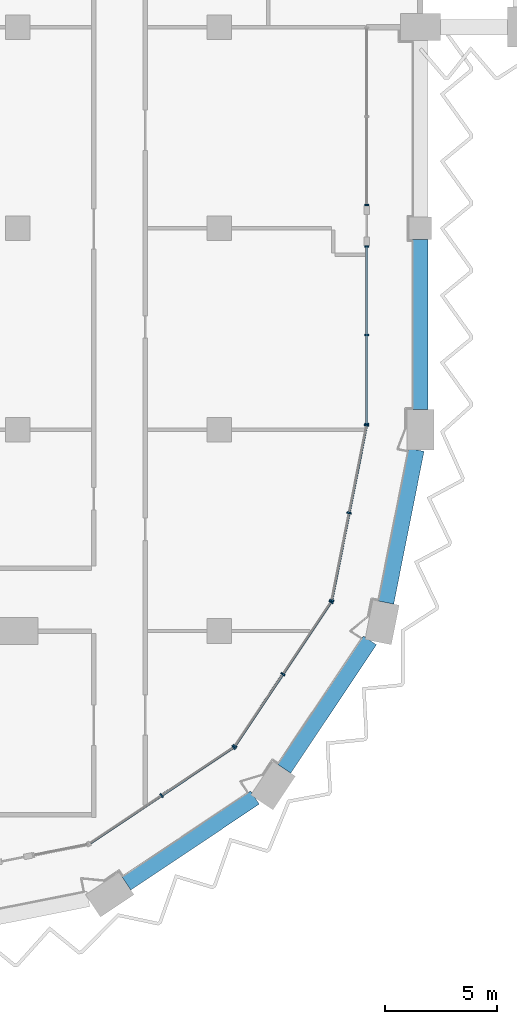
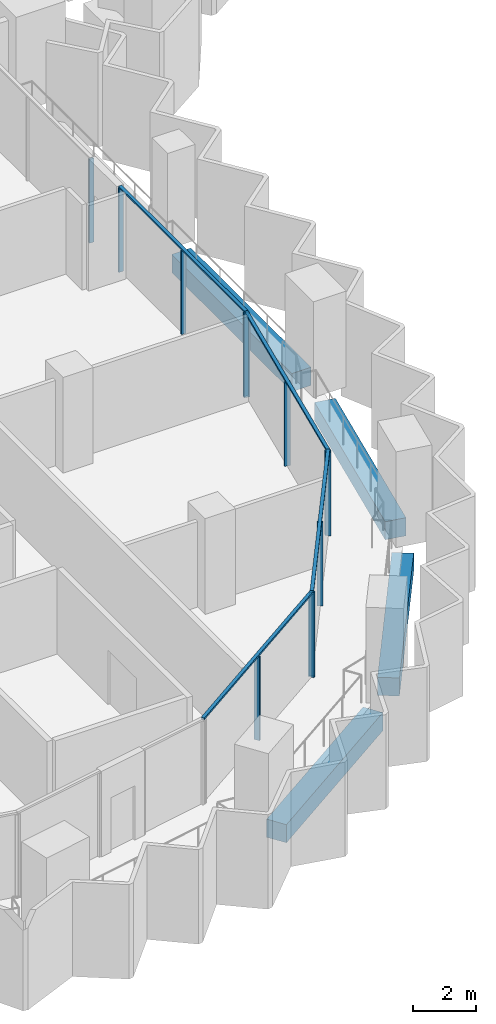
# One storey, part 3 of 17: 16 members, 4 beams, 5 elements without a shape of their own.
"""IFC4 building model written with IfcOpenShell, lengths in metres."""

import ifcopenshell
import ifcopenshell.guid

model = None  # the IFC model being written
_history = None  # IfcOwnerHistory: only IFC2X3 demands one
_inside = {}  # id of a spatial element -> (the spatial element, [elements in it])
_under = {}  # id of a project, library or spatial element -> (it, [spatial elements below it])
_declared = {}  # id of a project -> (the project, [libraries it declares])
_typed = {}  # id of a type object -> (the type object, [elements of that type])
_made_of = {}  # id of a material, layer set ... -> (it, [elements and type objects made of it])


def new_model(schema):
    """Start an empty IFC model of exactly this schema.

    Asked for "IFC4X3", IfcOpenShell would pick the latest addendum, in which some entities
    have other attributes; the version numbers below select the first issue.
    IFC2X3 requires an IfcOwnerHistory on every rooted entity: one is made here for all.
    """
    global model, _history
    if schema == "IFC4X3":
        model = ifcopenshell.file(schema_version=(4, 3, 0, 0))
    else:
        model = ifcopenshell.file(schema=schema)
    _inside.clear()
    _under.clear()
    _declared.clear()
    _typed.clear()
    _made_of.clear()
    _history = None
    if model.schema == "IFC2X3":
        org = make("IfcOrganization", Name="unknown")
        user = make(
            "IfcPersonAndOrganization",
            ThePerson=make("IfcPerson", FamilyName="unknown"),
            TheOrganization=org,
        )
        app = make(
            "IfcApplication",
            ApplicationDeveloper=org,
            Version="unknown",
            ApplicationFullName="unknown",
            ApplicationIdentifier="unknown",
        )
        _history = make(
            "IfcOwnerHistory",
            OwningUser=user,
            OwningApplication=app,
            ChangeAction="ADDED",
            CreationDate=0,
        )
    return model


def make(cls, **values):
    """One entity of the class cls with the attributes given. An attribute that is None is left unset."""
    return model.create_entity(
        cls, **{name: value for name, value in values.items() if value is not None}
    )


def rooted(cls, **values):
    """An entity with a GlobalId (a new one), such as an element, a storey or a relation."""
    return make(cls, GlobalId=ifcopenshell.guid.new(), OwnerHistory=_history, **values)


def si_unit(unit_type, name, prefix=None):
    """IfcSIUnit, for example si_unit("LENGTHUNIT", "METRE", prefix="MILLI")."""
    return make("IfcSIUnit", UnitType=unit_type, Prefix=prefix, Name=name)


def assignment(units):
    """IfcUnitAssignment: the units of a project."""
    return None if units is None else make("IfcUnitAssignment", Units=units)


def point(xyz):
    """IfcCartesianPoint."""
    return None if xyz is None else make("IfcCartesianPoint", Coordinates=xyz)


def direction(xyz):
    """IfcDirection."""
    return None if xyz is None else make("IfcDirection", DirectionRatios=xyz)


def frame(location, z_axis=None, x_axis=None):
    """IfcAxis2Placement3D, a coordinate frame: its origin and axes. An axis left out is left unset."""
    return make(
        "IfcAxis2Placement3D",
        Location=point(location),
        Axis=direction(z_axis),
        RefDirection=direction(x_axis),
    )


def frame_2d(location, x_axis=None):
    """IfcAxis2Placement2D, a coordinate frame in the plane: its origin and x axis."""
    return make(
        "IfcAxis2Placement2D", Location=point(location), RefDirection=direction(x_axis)
    )


def origin():
    """The frame at (0, 0, 0) with its axes left unset."""
    return frame((0.0, 0.0, 0.0))


def origin_2d():
    """The frame at (0, 0) in the plane with its x axis left unset."""
    return frame_2d((0.0, 0.0))


def place(relative_to, where):
    """IfcLocalPlacement: puts the frame where relative to a parent placement (None: the world)."""
    return make(
        "IfcLocalPlacement", PlacementRelTo=relative_to, RelativePlacement=where
    )


def context(
    kind, dimensions, precision=None, world=None, true_north=None, identifier=None
):
    """IfcGeometricRepresentationContext, for example the 3D "Model" context."""
    return make(
        "IfcGeometricRepresentationContext",
        ContextIdentifier=identifier,
        ContextType=kind,
        CoordinateSpaceDimension=dimensions,
        Precision=precision,
        WorldCoordinateSystem=world,
        TrueNorth=true_north,
    )


def subcontext(parent, identifier, kind, view, scale=None):
    """IfcGeometricRepresentationSubContext, for example "Body" below "Model"."""
    return make(
        "IfcGeometricRepresentationSubContext",
        ContextIdentifier=identifier,
        ContextType=kind,
        ParentContext=parent,
        TargetScale=scale,
        TargetView=view,
    )


def project(units=None, contexts=None):
    """IfcProject with its units and contexts."""
    return rooted(
        "IfcProject",
        Name="project",
        RepresentationContexts=contexts,
        UnitsInContext=assignment(units),
    )


def spatial(cls, under=None, at=None, **own):
    """A site, building, storey or space (cls), placed at a placement, below another one or the project."""
    s = rooted(cls, ObjectPlacement=at, **own)
    if under is not None:
        _under.setdefault(under.id(), (under, []))[1].append(s)
    return s


def profile(cls, at=None, kind="AREA", **sizes):
    """A parametric profile (cls). Its sizes go by their IFC names, for example OverallWidth=200.0."""
    return make(cls, ProfileType=kind, Position=at, **sizes)


def rectangle(**sizes):
    """IfcRectangleProfileDef."""
    return profile("IfcRectangleProfileDef", **sizes)


def extrude(swept, where, along, depth):
    """IfcExtrudedAreaSolid: the profile swept, set in the frame where, extruded along a direction by depth."""
    return make(
        "IfcExtrudedAreaSolid",
        SweptArea=swept,
        Position=where,
        ExtrudedDirection=direction(along),
        Depth=depth,
    )


def shape(context_of_items, identifier, shape_type, items):
    """IfcShapeRepresentation: the items that make up one representation, for example the "Body"."""
    return make(
        "IfcShapeRepresentation",
        ContextOfItems=context_of_items,
        RepresentationIdentifier=identifier,
        RepresentationType=shape_type,
        Items=items,
    )


def material(Name=None, Category=None):
    """IfcMaterial."""
    return make("IfcMaterial", Name=Name, Category=Category)


def material_profile(
    of_material, cross_section, Name=None, Category=None, Priority=None
):
    """IfcMaterialProfile: a cross section and its material."""
    return make(
        "IfcMaterialProfile",
        Name=Name,
        Material=of_material,
        Profile=cross_section,
        Priority=Priority,
        Category=Category,
    )


def profile_set(profiles, Name=None, composite=None):
    """IfcMaterialProfileSet."""
    return make(
        "IfcMaterialProfileSet",
        Name=Name,
        MaterialProfiles=profiles,
        CompositeProfile=composite,
    )


def made_of(thing, what):
    """Note that an element or type object is made of a material, layer set ...; save() writes the relation."""
    if what is not None:
        _made_of.setdefault(what.id(), (what, []))[1].append(thing)
    return thing


def type_object(cls, material=None, **own):
    """A type object (cls), such as IfcWallType, which elements share."""
    return made_of(rooted(cls, **own), material)


def element(
    cls,
    number,
    at=None,
    inside=None,
    cuts=None,
    type_object=None,
    material=None,
    context=None,
    identifier="Body",
    shape_type=None,
    held_by="IfcProductDefinitionShape",
    body=None,
    shapes=None,
    **own,
):
    """One element of the class cls, such as IfcWall. Its Tag is "e" and its number.

    at: its placement. inside: the storey or other place that contains it. cuts: it is an
    opening in that element (IfcRelVoidsElement). A single representation is given by context,
    identifier, shape_type and body (its items); several are given by shapes. held_by: the class
    of the entity that holds the representations. save() writes the other relations.
    """
    e = rooted(cls, Tag="e%d" % number, ObjectPlacement=at, **own)
    if body is not None:
        shapes = [shape(context, identifier, shape_type, body)]
    if shapes is not None:
        e.Representation = make(held_by, Representations=shapes)
    if inside is not None:
        _inside.setdefault(inside.id(), (inside, []))[1].append(e)
    if cuts is not None:
        rooted(
            "IfcRelVoidsElement", RelatingBuildingElement=cuts, RelatedOpeningElement=e
        )
    if type_object is not None:
        _typed.setdefault(type_object.id(), (type_object, []))[1].append(e)
    return made_of(e, material)


def aggregate(whole, parts):
    """IfcRelAggregates: a whole, such as a stair, and the parts it consists of."""
    return rooted("IfcRelAggregates", RelatingObject=whole, RelatedObjects=parts)


def save(model, path):
    """Write the relations noted so far, then the file.

    IfcRelAggregates (storeys below a building ...), IfcRelContainedInSpatialStructure (elements
    in a storey), IfcRelDefinesByType, IfcRelAssociatesMaterial and IfcRelDeclares: one each for
    every whole, place, type object, material and project.
    """
    for whole, parts in _under.values():
        aggregate(whole, parts)
    for where, things in _inside.values():
        rooted(
            "IfcRelContainedInSpatialStructure",
            RelatedElements=things,
            RelatingStructure=where,
        )
    for kind, things in _typed.values():
        rooted("IfcRelDefinesByType", RelatedObjects=things, RelatingType=kind)
    for what, things in _made_of.values():
        rooted("IfcRelAssociatesMaterial", RelatedObjects=things, RelatingMaterial=what)
    for by, libraries in _declared.values():
        rooted("IfcRelDeclares", RelatingContext=by, RelatedDefinitions=libraries)
    model.write(path)


model = new_model("IFC4")

# Units and contexts
model_context = context("Model", 3, precision=1e-05, world=origin(), true_north=direction((0.0, 1.0)))
body_context = subcontext(model_context, "Body", "Model", "MODEL_VIEW")
ifc_project = project(units=[si_unit("LENGTHUNIT", "METRE"), si_unit("AREAUNIT", "SQUARE_METRE"), si_unit("VOLUMEUNIT", "CUBIC_METRE"), si_unit("PLANEANGLEUNIT", "RADIAN"), si_unit("MASSUNIT", "GRAM", prefix="KILO")], contexts=[model_context])

# Site, building, storey
site_placement = place(None, origin())
site = spatial("IfcSite", under=ifc_project, at=site_placement, CompositionType="ELEMENT")
building_placement = place(site_placement, origin())
building = spatial("IfcBuilding", under=site, at=building_placement, Name="Hunhe Ridgeline Campus", CompositionType="ELEMENT")
storey_placement = place(building_placement, frame((0.0, 0.0, 205.0)))
storey = spatial("IfcBuildingStorey", under=building, at=storey_placement, Name="L52", CompositionType="ELEMENT", Elevation=205.0)

# Curtain wall, members
ifc_material_1 = material(Name="Aluminium 6063", Category="aluminium")
curtain_wall_type_1 = type_object("IfcCurtainWallType", Name="Curtain wall CW-1", PredefinedType="NOTDEFINED", material=ifc_material_1)
curtain_wall_1_placement = place(storey_placement, origin())
curtain_wall_1 = element("IfcCurtainWall", 1, at=curtain_wall_1_placement, inside=storey, type_object=curtain_wall_type_1, Name="Curtain wall 11", PredefinedType="NOTDEFINED")
ifc_material_profile_1 = material_profile(ifc_material_1, rectangle(XDim=0.159912109375, YDim=0.06005859375, at=origin_2d()))
ifc_profile_set_1 = profile_set([ifc_material_profile_1], Name="Aluminium 6063")
member_type_1 = type_object("IfcMemberType", Name="CW-1 aluminium mullion", PredefinedType="MULLION", material=ifc_profile_set_1)
member_1_placement = place(storey_placement, frame((42.59912109375, 36.266357421875, 0.0), z_axis=(0.0, 0.0, 1.0), x_axis=(-0.999999999978, 6.639948e-06, 0.0)))
member_1 = element("IfcMember", 2, at=member_1_placement, type_object=member_type_1, Name="CW-1 mullion 1", PredefinedType="MULLION", context=body_context, shape_type="SweptSolid", body=[
    extrude(rectangle(XDim=0.159912109375, YDim=0.06005859375, at=origin_2d()), origin(), (0.0, 0.0, 1.0), 3.239990234375),
])
member_2_placement = place(storey_placement, frame((42.59912109375, 40.2275390625, 0.0), z_axis=(0.0, 0.0, 1.0), x_axis=(-0.999999999978, 6.639948e-06, 0.0)))
member_2 = element("IfcMember", 3, at=member_2_placement, type_object=member_type_1, Name="CW-1 mullion 2", PredefinedType="MULLION", context=body_context, shape_type="SweptSolid", body=[
    extrude(rectangle(XDim=0.159912109375, YDim=0.06005859375, at=origin_2d()), origin(), (0.0, 0.0, 1.0), 3.239990234375),
])
member_3_placement = place(storey_placement, frame((42.59912109375, 44.1884765625, 0.0), z_axis=(0.0, 0.0, 1.0), x_axis=(-0.999999999978, 6.639948e-06, 0.0)))
member_3 = element("IfcMember", 4, at=member_3_placement, type_object=member_type_1, Name="CW-1 mullion 3", PredefinedType="MULLION", context=body_context, shape_type="SweptSolid", body=[
    extrude(rectangle(XDim=0.159912109375, YDim=0.06005859375, at=origin_2d()), origin(), (0.0, 0.0, 1.0), 3.239990234375),
])

# Curtain wall, member
curtain_wall_2_placement = place(storey_placement, origin())
curtain_wall_2 = element("IfcCurtainWall", 5, at=curtain_wall_2_placement, inside=storey, type_object=curtain_wall_type_1, Name="Curtain wall 12", PredefinedType="NOTDEFINED")
member_4_placement = place(storey_placement, frame((42.59912109375, 46.048583984375, 0.0), z_axis=(0.0, 0.0, 1.0), x_axis=(-0.999999999978, 6.639948e-06, 0.0)))
member_4 = element("IfcMember", 6, at=member_4_placement, type_object=member_type_1, Name="CW-1 mullion 1", PredefinedType="MULLION", context=body_context, shape_type="SweptSolid", body=[
    extrude(rectangle(XDim=0.159912109375, YDim=0.06005859375, at=origin_2d()), origin(), (0.0, 0.0, 1.0), 3.239990234375),
])
aggregate(curtain_wall_2, [member_4])

# Member
ifc_material_profile_2 = material_profile(ifc_material_1, rectangle(XDim=0.1201171875, YDim=0.06005859375, at=origin_2d()))
ifc_profile_set_2 = profile_set([ifc_material_profile_2], Name="Aluminium 6063")
member_type_2 = type_object("IfcMemberType", Name="CW-1 aluminium transom", PredefinedType="USERDEFINED", material=ifc_profile_set_2)
member_5_placement = place(storey_placement, frame((42.59912109375, 36.236572265625, 3.27001953125), z_axis=(0.0, 1.0, 0.0), x_axis=(-1.0, 0.0, 0.0)))
member_5 = element("IfcMember", 7, at=member_5_placement, type_object=member_type_2, Name="CW-1 transom 1", ObjectType="TRANSOM", PredefinedType="USERDEFINED", context=body_context, shape_type="SweptSolid", body=[
    extrude(rectangle(XDim=0.1201171875, YDim=0.06005859375, at=origin_2d()), origin(), (0.0, 0.0, 1.0), 7.98193359375),
])

aggregate(curtain_wall_1, [member_5, member_1, member_2, member_3])

# Curtain wall, members
curtain_wall_type_2 = type_object("IfcCurtainWallType", Name="Curtain wall CW-5", PredefinedType="NOTDEFINED", material=ifc_material_1)
curtain_wall_3_placement = place(storey_placement, origin())
curtain_wall_3 = element("IfcCurtainWall", 8, at=curtain_wall_3_placement, inside=storey, type_object=curtain_wall_type_2, Name="Curtain wall 08", PredefinedType="NOTDEFINED")
ifc_material_profile_3 = material_profile(ifc_material_1, rectangle(XDim=0.199951171875, YDim=0.070068359375, at=origin_2d()))
ifc_profile_set_3 = profile_set([ifc_material_profile_3], Name="Aluminium 6063")
member_type_3 = type_object("IfcMemberType", Name="CW-5 aluminium mullion", PredefinedType="MULLION", material=ifc_profile_set_3)
member_6_placement = place(storey_placement, frame((33.42626953125, 19.647705078125, 0.0), z_axis=(0.0, 0.0, 1.0), x_axis=(-0.555570274596, 0.831469584522, 0.0)))
member_6 = element("IfcMember", 9, at=member_6_placement, type_object=member_type_3, Name="CW-5 mullion 2", PredefinedType="MULLION", context=body_context, shape_type="SweptSolid", body=[
    extrude(rectangle(XDim=0.199951171875, YDim=0.070068359375, at=origin_2d()), origin(), (0.0, 0.0, 1.0), 3.22998046875),
])
member_7_placement = place(storey_placement, frame((36.649658203125, 21.8017578125, 0.0), z_axis=(0.0, 0.0, 1.0), x_axis=(-0.555570274596, 0.831469584522, 0.0)))
member_7 = element("IfcMember", 10, at=member_7_placement, type_object=member_type_3, Name="CW-5 mullion 3", PredefinedType="MULLION", context=body_context, shape_type="SweptSolid", body=[
    extrude(rectangle(XDim=0.199951171875, YDim=0.070068359375, at=origin_2d()), origin(), (0.0, 0.0, 1.0), 3.22998046875),
])

curtain_wall_4_placement = place(storey_placement, origin())
curtain_wall_4 = element("IfcCurtainWall", 11, at=curtain_wall_4_placement, inside=storey, type_object=curtain_wall_type_2, Name="Curtain wall 09", PredefinedType="NOTDEFINED")
member_8_placement = place(storey_placement, frame((36.6982421875, 21.850341796875, 0.0), z_axis=(0.0, 0.0, 1.0), x_axis=(-0.831469584522, 0.555570274596, 0.0)))
member_8 = element("IfcMember", 12, at=member_8_placement, type_object=member_type_3, Name="CW-5 mullion 1", PredefinedType="MULLION", context=body_context, shape_type="SweptSolid", body=[
    extrude(rectangle(XDim=0.199951171875, YDim=0.070068359375, at=origin_2d()), origin(), (0.0, 0.0, 1.0), 3.22998046875),
])
member_9_placement = place(storey_placement, frame((38.852294921875, 25.07373046875, 0.0), z_axis=(0.0, 0.0, 1.0), x_axis=(-0.831469584522, 0.555570274596, 0.0)))
member_9 = element("IfcMember", 13, at=member_9_placement, type_object=member_type_3, Name="CW-5 mullion 2", PredefinedType="MULLION", context=body_context, shape_type="SweptSolid", body=[
    extrude(rectangle(XDim=0.199951171875, YDim=0.070068359375, at=origin_2d()), origin(), (0.0, 0.0, 1.0), 3.22998046875),
])
member_10_placement = place(storey_placement, frame((41.006103515625, 28.29736328125, 0.0), z_axis=(0.0, 0.0, 1.0), x_axis=(-0.831469584522, 0.555570274596, 0.0)))
member_10 = element("IfcMember", 14, at=member_10_placement, type_object=member_type_3, Name="CW-5 mullion 3", PredefinedType="MULLION", context=body_context, shape_type="SweptSolid", body=[
    extrude(rectangle(XDim=0.199951171875, YDim=0.070068359375, at=origin_2d()), origin(), (0.0, 0.0, 1.0), 3.22998046875),
])

curtain_wall_5_placement = place(storey_placement, origin())
curtain_wall_5 = element("IfcCurtainWall", 15, at=curtain_wall_5_placement, inside=storey, type_object=curtain_wall_type_2, Name="Curtain wall 10", PredefinedType="NOTDEFINED")
member_11_placement = place(storey_placement, frame((41.032470703125, 28.36083984375, 0.0), z_axis=(0.0, 0.0, 1.0), x_axis=(-0.980785284939, 0.195090299215, 0.0)))
member_11 = element("IfcMember", 16, at=member_11_placement, type_object=member_type_3, Name="CW-5 mullion 1", PredefinedType="MULLION", context=body_context, shape_type="SweptSolid", body=[
    extrude(rectangle(XDim=0.199951171875, YDim=0.070068359375, at=origin_2d()), origin(), (0.0, 0.0, 1.0), 3.22998046875),
])
member_12_placement = place(storey_placement, frame((41.812255859375, 32.281494140625, 0.0), z_axis=(0.0, 0.0, 1.0), x_axis=(-0.980785284939, 0.195090299215, 0.0)))
member_12 = element("IfcMember", 17, at=member_12_placement, type_object=member_type_3, Name="CW-5 mullion 2", PredefinedType="MULLION", context=body_context, shape_type="SweptSolid", body=[
    extrude(rectangle(XDim=0.199951171875, YDim=0.070068359375, at=origin_2d()), origin(), (0.0, 0.0, 1.0), 3.22998046875),
])
member_13_placement = place(storey_placement, frame((42.59228515625, 36.2021484375, 0.0), z_axis=(0.0, 0.0, 1.0), x_axis=(-0.980785284939, 0.195090299215, 0.0)))
member_13 = element("IfcMember", 18, at=member_13_placement, type_object=member_type_3, Name="CW-5 mullion 3", PredefinedType="MULLION", context=body_context, shape_type="SweptSolid", body=[
    extrude(rectangle(XDim=0.199951171875, YDim=0.070068359375, at=origin_2d()), origin(), (0.0, 0.0, 1.0), 3.22998046875),
])

# Member
ifc_material_profile_4 = material_profile(ifc_material_1, rectangle(XDim=0.1201171875, YDim=0.070068359375, at=origin_2d()))
ifc_profile_set_4 = profile_set([ifc_material_profile_4], Name="Aluminium 6063")
member_type_4 = type_object("IfcMemberType", Name="CW-5 aluminium transom", PredefinedType="USERDEFINED", material=ifc_profile_set_4)
member_14_placement = place(storey_placement, frame((30.173583984375, 17.474365234375, 3.264892578125), z_axis=(0.831473763475, 0.5555640203, 0.0), x_axis=(-0.5555640203, 0.831473763475, 0.0)))
member_14 = element("IfcMember", 19, at=member_14_placement, type_object=member_type_4, Name="CW-5 transom 1", ObjectType="TRANSOM", PredefinedType="USERDEFINED", context=body_context, shape_type="SweptSolid", body=[
    extrude(rectangle(XDim=0.1201171875, YDim=0.070068359375, at=origin_2d()), origin(), (0.0, 0.0, 1.0), 7.823974609375),
])

aggregate(curtain_wall_3, [member_14, member_6, member_7])

member_15_placement = place(storey_placement, frame((36.678955078125, 21.821044921875, 3.264892578125), z_axis=(0.5555640203, 0.831473763475, 0.0), x_axis=(-0.831473763475, 0.5555640203, 0.0)))
member_15 = element("IfcMember", 20, at=member_15_placement, type_object=member_type_4, Name="CW-5 transom 1", ObjectType="TRANSOM", PredefinedType="USERDEFINED", context=body_context, shape_type="SweptSolid", body=[
    extrude(rectangle(XDim=0.1201171875, YDim=0.070068359375, at=origin_2d()), origin(), (0.0, 0.0, 1.0), 7.823974609375),
])

aggregate(curtain_wall_4, [member_15, member_8, member_9, member_10])

member_16_placement = place(storey_placement, frame((41.025634765625, 28.326416015625, 3.264892578125), z_axis=(0.195097290093, 0.980783894341, 0.0), x_axis=(-0.980783894341, 0.195097290093, 0.0)))
member_16 = element("IfcMember", 21, at=member_16_placement, type_object=member_type_4, Name="CW-5 transom 1", ObjectType="TRANSOM", PredefinedType="USERDEFINED", context=body_context, shape_type="SweptSolid", body=[
    extrude(rectangle(XDim=0.1201171875, YDim=0.070068359375, at=origin_2d()), origin(), (0.0, 0.0, 1.0), 8.065185546875),
])

aggregate(curtain_wall_5, [member_16, member_11, member_12, member_13])

# Beams
ifc_material_2 = material(Name="Concrete C50", Category="concrete")
ifc_material_profile_5 = material_profile(ifc_material_2, rectangle(XDim=0.699951171875, YDim=0.699951171875, at=origin_2d()))
ifc_profile_set_5 = profile_set([ifc_material_profile_5], Name="Concrete C50")
beam_type = type_object("IfcBeamType", Name="RC spandrel beam 700x700 Concrete C50", PredefinedType="SPANDREL", material=ifc_profile_set_5)
for number, where, z_axis, x_axis, name in (
    (22, (31.858642578125, 15.712646484375, -0.60009765625), (0.831467796868, 0.55557295, 0.0), (-0.55557295, 0.831467796868, 0.0), "Spandrel beam B3-6 L52"),
    (23, (38.909912109375, 20.83837890625, -0.60009765625), (0.55557295, 0.831467796868, 0.0), (-0.831467796868, 0.55557295, 0.0), "Spandrel beam B3-7 L52"),
):
    element("IfcBeam", number, at=place(storey_placement, frame(where, z_axis=z_axis, x_axis=x_axis)), inside=storey, type_object=beam_type, Name=name, PredefinedType="SPANDREL", context=body_context, shape_type="SweptSolid", body=[
        extrude(rectangle(XDim=0.699951171875, YDim=0.699951171875, at=origin_2d()), origin(), (0.0, 0.0, 1.0), 6.905029296875),
    ])
beam_1_placement = place(storey_placement, frame((43.462890625, 28.272216796875, -0.60009765625), z_axis=(0.195090923217, 0.980785160817, 0.0), x_axis=(-0.980785160817, 0.195090923217, 0.0)))
element("IfcBeam", 24, at=beam_1_placement, inside=storey, type_object=beam_type, Name="Spandrel beam B3-8 L52", PredefinedType="SPANDREL", context=body_context, shape_type="SweptSolid", body=[
    extrude(rectangle(XDim=0.699951171875, YDim=0.699951171875, at=origin_2d()), origin(), (0.0, 0.0, 1.0), 6.961669921875),
])
beam_2_placement = place(storey_placement, frame((45.0, 36.89990234375, -0.60009765625), z_axis=(0.0, 1.0, 0.0), x_axis=(-1.0, 0.0, 0.0)))
element("IfcBeam", 25, at=beam_2_placement, inside=storey, type_object=beam_type, Name="Spandrel beam B3-9 L52", PredefinedType="SPANDREL", context=body_context, shape_type="SweptSolid", body=[
    extrude(rectangle(XDim=0.699951171875, YDim=0.699951171875, at=origin_2d()), origin(), (0.0, 0.0, 1.0), 7.60009765625),
])

save(model, "model.ifc")
